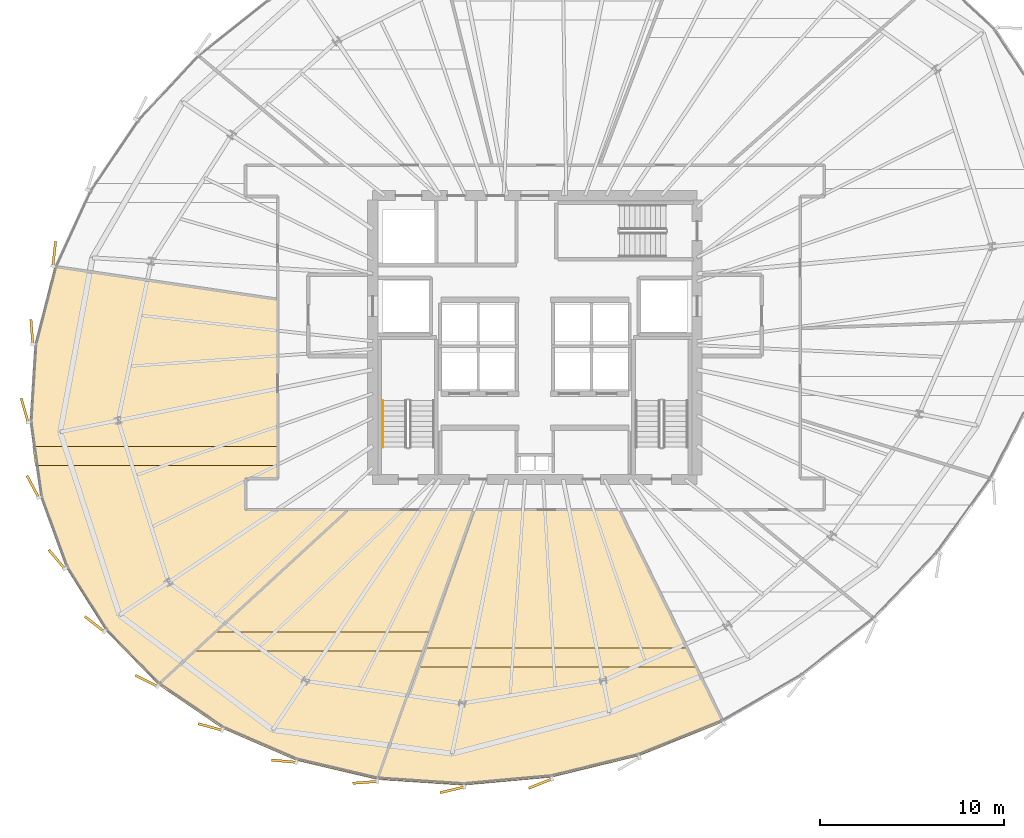
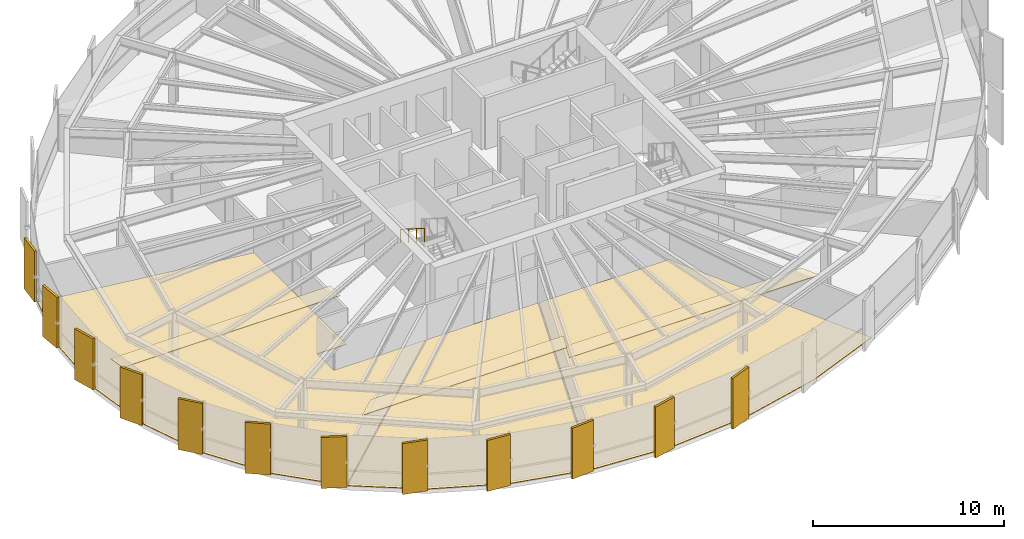
# One storey, part 32 of 35: 18 coverings, 1 railing.
"""IFC4 building model written with IfcOpenShell, lengths in metres."""

from ifc_helpers import new_model, si_unit, direction, frame, origin, origin_2d, place, context, subcontext, project, spatial, polyline, rectangle, circle, outline, extrude, source, transform, mapped, material, layer, layer_set, type_object, element, save


model = new_model("IFC4")

# Units and contexts
model_context = context("Model", 3, precision=1e-05, world=origin(), true_north=direction((0.0, 1.0)))
body_context = subcontext(model_context, "Body", "Model", "MODEL_VIEW")
ifc_project = project(units=[si_unit("LENGTHUNIT", "METRE"), si_unit("AREAUNIT", "SQUARE_METRE"), si_unit("VOLUMEUNIT", "CUBIC_METRE"), si_unit("PLANEANGLEUNIT", "RADIAN"), si_unit("MASSUNIT", "GRAM", prefix="KILO"), si_unit("THERMODYNAMICTEMPERATUREUNIT", "KELVIN")], contexts=[model_context])

# Site, building, storey
site_placement = place(None, origin())
site = spatial("IfcSite", under=ifc_project, at=site_placement, CompositionType="ELEMENT")
building_placement = place(site_placement, origin())
building = spatial("IfcBuilding", under=site, at=building_placement, Name="Kethvar Cultural Tower", CompositionType="ELEMENT")
storey_placement = place(building_placement, frame((0.0, 0.0, 139.449951171875)))
storey = spatial("IfcBuildingStorey", under=building, at=storey_placement, Name="L35", CompositionType="ELEMENT", Elevation=139.449951171875)

# Coverings
ifc_material_1 = material(Name="Acoustic Mineral Fibre Ceiling")
ifc_layer_1 = layer(ifc_material_1, 0.0400390625, Name="Acoustic Mineral Fibre Ceiling")
ifc_layer_set_1 = layer_set([ifc_layer_1], Name="Acoustic Mineral Fibre Ceiling (40 mm)")
covering_type_1 = type_object("IfcCoveringType", Name="CV-ACOUSTIC-CEIL", PredefinedType="CEILING", material=ifc_layer_set_1)
covering_1_placement = place(storey_placement, frame((0.0, 0.0, 2.670166015625)))
element("IfcCovering", 1, at=covering_1_placement, inside=storey, type_object=covering_type_1, Name="L35 Room 01 Acoustic Ceiling Panel", PredefinedType="CEILING", context=body_context, shape_type="SweptSolid", body=[
    extrude(outline(polyline([(29.473388671875, 11.830810546875), (41.14501953125, 11.830810546875), (40.779052734375, 10.80078125), (28.357666015625, 10.80078125), (29.473388671875, 11.830810546875)])), origin(), (0.0, 0.0, 1.0), 0.039794921875),
])
covering_2_placement = place(storey_placement, frame((0.0, 0.0, 2.670166015625)))
element("IfcCovering", 2, at=covering_2_placement, inside=storey, type_object=covering_type_1, Name="L35 Room 02 Acoustic Ceiling Panel", PredefinedType="CEILING", context=body_context, shape_type="SweptSolid", body=[
    extrude(outline(polyline([(40.793701171875, 10.9619140625), (55.071044921875, 10.9619140625), (55.57568359375, 9.931884765625), (40.427734375, 9.931884765625), (40.793701171875, 10.9619140625)])), origin(), (0.0, 0.0, 1.0), 0.039794921875),
])
covering_3_placement = place(storey_placement, frame((0.0, 0.0, 2.670166015625)))
element("IfcCovering", 3, at=covering_3_placement, inside=storey, type_object=covering_type_1, Name="L35 Room 11 Acoustic Ceiling Panel", PredefinedType="CEILING", context=body_context, shape_type="SweptSolid", body=[
    extrude(outline(polyline([(19.547607421875, 21.8994140625), (32.8701171875, 21.8994140625), (32.8701171875, 20.869384765625), (19.6923828125, 20.869384765625), (19.547607421875, 21.8994140625)])), origin(), (0.0, 0.0, 1.0), 0.039794921875),
])
ifc_material_2 = material(Name="Architectural Oak Timber", Category="wood")
ifc_layer_2 = layer(ifc_material_2, 0.02490234375, Name="Architectural Oak Timber", Category="wood")
ifc_layer_set_2 = layer_set([ifc_layer_2], Name="Architectural Oak Timber (25 mm)")
covering_type_2 = type_object("IfcCoveringType", Name="CV-OAK-FLOOR", PredefinedType="FLOORING", material=ifc_layer_set_2)
covering_4_placement = place(storey_placement, origin())
element("IfcCovering", 4, at=covering_4_placement, inside=storey, type_object=covering_type_2, Name="L35 Room 01 Floor Finish", PredefinedType="FLOORING", context=body_context, shape_type="SweptSolid", body=[
    extrude(outline(polyline([(33.877197265625, 4.851806640625), (29.87548828125, 6.583251953125), (26.40771484375, 8.9462890625), (36.68017578125, 18.429931640625), (43.4482421875, 18.429931640625), (38.255859375, 3.8212890625), (33.877197265625, 4.851806640625)])), origin(), (0.0, 0.0, 1.0), 0.025146484375),
])
covering_5_placement = place(storey_placement, origin())
element("IfcCovering", 5, at=covering_5_placement, inside=storey, type_object=covering_type_2, Name="L35 Room 02 Floor Finish", PredefinedType="FLOORING", context=body_context, shape_type="SweptSolid", body=[
    extrude(outline(polyline([(52.44140625, 5.102294921875), (47.697021484375, 3.944580078125), (42.92529296875, 3.51220703125), (38.29638671875, 3.81591796875), (43.49072265625, 18.429931640625), (51.367919921875, 18.429931640625), (56.995849609375, 6.942138671875), (52.44140625, 5.102294921875)])), origin(), (0.0, 0.0, 1.0), 0.025146484375),
])
covering_6_placement = place(storey_placement, origin())
element("IfcCovering", 6, at=covering_6_placement, inside=storey, type_object=covering_type_2, Name="L35 Room 11 Floor Finish", PredefinedType="FLOORING", context=body_context, shape_type="SweptSolid", body=[
    extrude(outline(polyline([(23.521484375, 11.9072265625), (21.36181640625, 15.337890625), (19.974853515625, 19.147216796875), (19.402587890625, 23.219482421875), (19.662353515625, 27.430908203125), (20.742919921875, 31.63818359375), (32.830078125, 29.848388671875), (32.830078125, 20.169921875), (31.0859375, 20.1640625), (31.080810546875, 18.444091796875), (36.621337890625, 18.429931640625), (26.37646484375, 8.9716796875), (23.521484375, 11.9072265625)])), origin(), (0.0, 0.0, 1.0), 0.025146484375),
])

# Railing
ifc_material_3 = material(Name="Steel S355J2", Category="steel")
railing_type = type_object("IfcRailingType", Name="RL-STAIR-HANDRAIL", PredefinedType="HANDRAIL", material=ifc_material_3)
railing_placement = place(storey_placement, frame((38.5400390625, 24.3701171875, 1.95263671875)))
element("IfcRailing", 7, at=railing_placement, inside=storey, type_object=railing_type, Name="L35 ST-01 stair handrail 2", PredefinedType="HANDRAIL", context=body_context, shape_type="SweptSolid", body=[
    extrude(circle(Radius=0.02392578125, at=origin_2d()), frame((0.0, 0.0, 0.8759765625), z_axis=(0.0, -0.84460694969, 0.535386869969), x_axis=(1.0, 0.0, 0.0)), (0.0, 0.0, 1.0), 2.983642578125),
    extrude(circle(Radius=0.02099609375, at=origin_2d()), origin(), (0.0, 0.0, 1.0), 0.851806640625),
    extrude(circle(Radius=0.02099609375, at=origin_2d()), frame((0.0, -0.840087890625, 0.532470703125)), (0.0, 0.0, 1.0), 0.851806640625),
    extrude(circle(Radius=0.02099609375, at=origin_2d()), frame((0.0, -1.679931640625, 1.06494140625)), (0.0, 0.0, 1.0), 0.851806640625),
    extrude(circle(Radius=0.02099609375, at=origin_2d()), frame((0.0, -2.52001953125, 1.597412109375)), (0.0, 0.0, 1.0), 0.851806640625),
])

# Coverings
ifc_material_4 = material(Name="Extruded Architectural Terracotta", Category="masonry")
ifc_layer_3 = layer(ifc_material_4, 0.135009765625, Name="Extruded Architectural Terracotta", Category="masonry")
ifc_layer_set_3 = layer_set([ifc_layer_3], Name="Extruded Architectural Terracotta (135 mm)")
covering_type_3 = type_object("IfcCoveringType", Name="Terracotta Facade Fin FIN-02", PredefinedType="CLADDING", material=ifc_layer_set_3)
shared_shape = source(origin(), body_context, "Body", "SweptSolid", [
    extrude(rectangle(XDim=1.35009765625, YDim=0.135009765625, at=origin_2d()), origin(), (0.0, 0.0, 1.0), 3.260009765625),
])
for number, where, z_axis, x_axis, name in (
    (8, (20.7255859375, 32.351318359375, 0.02001953125), (0.0, 0.0, 1.0), (0.111468932206, 0.993767919161, 0.0), "L35 Vertical Terracotta Fin 3.3"),
    (9, (19.51025390625, 28.112060546875, 0.02001953125), (0.0, 0.0, 1.0), (-0.077937100301, 0.996958278162, 0.0), "L35 Vertical Terracotta Fin 3.4"),
    (10, (19.1171875, 23.856201171875, 0.02001953125), (0.0, 0.0, 1.0), (-0.275637355817, 0.961261695938, 0.0), "L35 Vertical Terracotta Fin 3.5"),
    (11, (19.563232421875, 19.710693359375, 0.02001953125), (0.0, 0.0, 1.0), (-0.469625659061, 0.882865641166, 0.0), "L35 Vertical Terracotta Fin 3.6"),
    (12, (20.861328125, 15.76904296875, 0.02001953125), (0.0, 0.0, 1.0), (-0.645324370339, 0.763908670619, 0.0), "L35 Vertical Terracotta Fin 4.1"),
    (13, (22.9150390625, 12.252685546875, 0.02001953125), (0.0, 0.0, 1.0), (-0.790155012376, 0.612907053653, 0.0), "L35 Vertical Terracotta Fin 4.2"),
    (14, (25.72509765625, 9.176513671875, 0.02001953125), (0.0, 0.0, 1.0), (-0.896718299017, 0.442601730913, 0.0), "L35 Vertical Terracotta Fin 4.3"),
    (15, (29.183349609375, 6.671630859375, 0.02001953125), (0.0, 0.0, 1.0), (-0.964095404234, 0.265556117487, 0.0), "L35 Vertical Terracotta Fin 4.4"),
    (16, (33.180419921875, 4.816650390625, 0.02001953125), (0.0, 0.0, 1.0), (-0.995820882453, 0.091327816524, 0.0), "L35 Vertical Terracotta Fin 4.5"),
    (17, (37.590087890625, 3.668212890625, 0.02001953125), (0.0, 0.0, 1.0), (-0.997263104282, -0.073934436076, 0.0), "L35 Vertical Terracotta Fin 4.6"),
    (18, (42.314208984375, 3.261962890625, 0.02001953125), (0.0, 0.0, 1.0), (-0.973658553048, -0.228011013058, 0.0), "L35 Vertical Terracotta Fin 5.1"),
    (19, (47.092041015625, 3.597412109375, 0.02001953125), (0.0, 0.0, 1.0), (-0.9290680244, -0.369908915867, 0.0), "L35 Vertical Terracotta Fin 5.2"),
):
    element("IfcCovering", number, at=place(storey_placement, frame(where, z_axis=z_axis, x_axis=x_axis)), inside=storey, type_object=covering_type_3, Name=name, PredefinedType="CLADDING", context=body_context, shape_type="MappedRepresentation", body=[
        mapped(shared_shape, transform((0.0, 0.0, 0.0), scale=1.0)),
    ])

save(model, "model.ifc")
